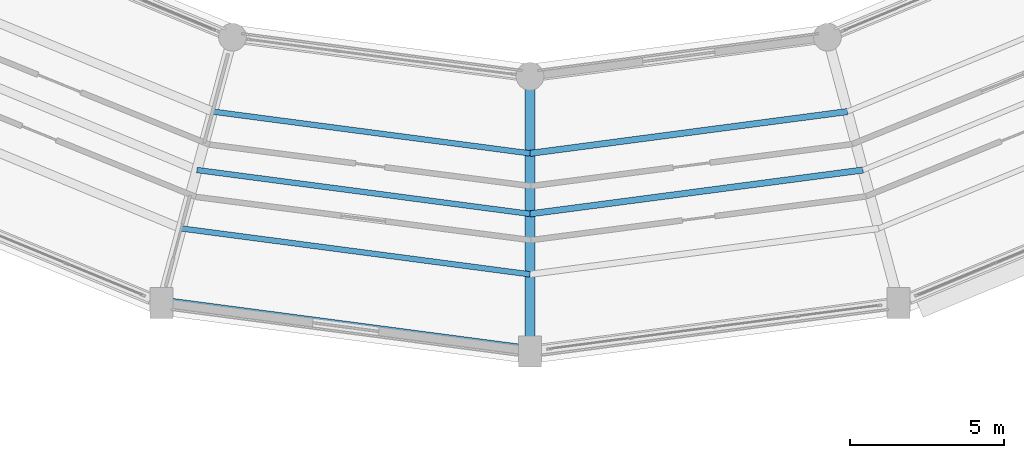
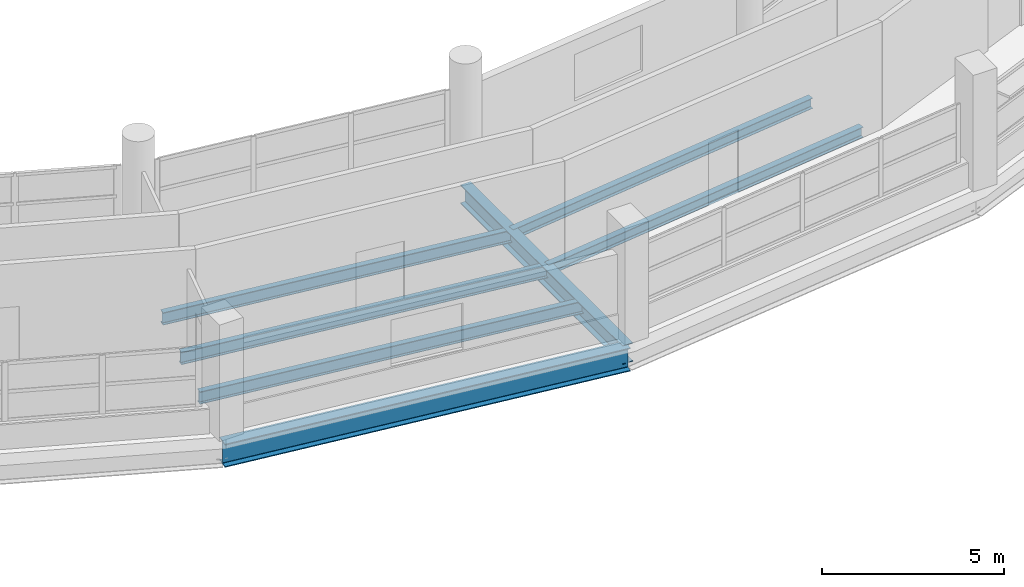
# One storey, part 37 of 108: 7 beams.
"""IFC4 building model written with IfcOpenShell, lengths in metres."""

from ifc_helpers import new_model, si_unit, direction, frame, origin, origin_2d, place, context, subcontext, project, spatial, i_section, extrude, material, material_profile, profile_set, type_object, element, save


model = new_model("IFC4")

# Units and contexts
model_context = context("Model", 3, precision=1e-05, world=origin(), true_north=direction((0.0, 1.0)))
body_context = subcontext(model_context, "Body", "Model", "MODEL_VIEW")
ifc_project = project(units=[si_unit("LENGTHUNIT", "METRE"), si_unit("AREAUNIT", "SQUARE_METRE"), si_unit("VOLUMEUNIT", "CUBIC_METRE"), si_unit("PLANEANGLEUNIT", "RADIAN"), si_unit("MASSUNIT", "GRAM", prefix="KILO")], contexts=[model_context])

# Site, building, storey
site_placement = place(None, origin())
site = spatial("IfcSite", under=ifc_project, at=site_placement, CompositionType="ELEMENT")
building_placement = place(site_placement, origin())
building = spatial("IfcBuilding", under=site, at=building_placement, Name="Vespera Passage Community Centre", CompositionType="ELEMENT")
storey_placement = place(building_placement, frame((0.0, 0.0, 12.60009765625)))
storey = spatial("IfcBuildingStorey", under=building, at=storey_placement, Name="L03", CompositionType="ELEMENT", Elevation=12.60009765625)

# Beams
ifc_material_1 = material(Name="Steel ASTM A992 Grade 50", Category="steel")
ifc_material_profile_1 = material_profile(ifc_material_1, i_section(OverallWidth=0.32763671875, OverallDepth=0.62841796875, WebThickness=0.0166015625, FlangeThickness=0.027587890625, FilletRadius=0.0126953125, at=origin_2d()), Name="W24X146")
ifc_profile_set_1 = profile_set([ifc_material_profile_1], Name="Steel ASTM A992 Grade 50")
beam_type_1 = type_object("IfcBeamType", Name="BM-G-W24X146", PredefinedType="BEAM", material=ifc_profile_set_1)
beam_1_placement = place(storey_placement, frame((78.0, 28.300048828125, -0.71435546875), z_axis=(0.0, -1.0, 0.0), x_axis=(1.0, 0.0, 0.0)))
element("IfcBeam", 1, at=beam_1_placement, inside=storey, type_object=beam_type_1, Name="V4 L03 Radial Girder 18", PredefinedType="BEAM", context=body_context, shape_type="SweptSolid", body=[
    extrude(i_section(OverallWidth=0.32763671875, OverallDepth=0.62841796875, WebThickness=0.0166015625, FlangeThickness=0.027587890625, FilletRadius=0.0126953125, at=origin_2d()), origin(), (0.0, 0.0, 1.0), 8.900146484375),
])
ifc_material_2 = material(Name="Steel ASTM A992 Grade 50", Category="steel")
ifc_material_profile_2 = material_profile(ifc_material_2, i_section(OverallWidth=0.2041015625, OverallDepth=0.3505859375, WebThickness=0.008544921875, FlangeThickness=0.01513671875, FilletRadius=0.01513671875, at=origin_2d()), Name="W14X48")
ifc_profile_set_2 = profile_set([ifc_material_profile_2], Name="Steel ASTM A992 Grade 50")
beam_type_2 = type_object("IfcBeamType", Name="BM-J-W14X48", PredefinedType="JOIST", material=ifc_profile_set_2)
beam_2_placement = place(storey_placement, frame((78.0, 25.80810546875, -0.575439453125), z_axis=(0.991447317077, 0.130507537947, 0.0), x_axis=(-0.130507537947, 0.991447317077, 0.0)))
element("IfcBeam", 2, at=beam_2_placement, inside=storey, type_object=beam_type_2, Name="V4 L03 Floor Joist 18.1", PredefinedType="JOIST", context=body_context, shape_type="SweptSolid", body=[
    extrude(i_section(OverallWidth=0.2041015625, OverallDepth=0.3505859375, WebThickness=0.008544921875, FlangeThickness=0.01513671875, FilletRadius=0.01513671875, at=origin_2d()), origin(), (0.0, 0.0, 1.0), 10.36181640625),
])
beam_3_placement = place(storey_placement, frame((78.0, 23.85009765625, -0.575439453125), z_axis=(0.991444815981, 0.130526537014, 0.0), x_axis=(-0.130526537014, 0.991444815981, 0.0)))
element("IfcBeam", 3, at=beam_3_placement, inside=storey, type_object=beam_type_2, Name="V4 L03 Floor Joist 18.2", PredefinedType="JOIST", context=body_context, shape_type="SweptSolid", body=[
    extrude(i_section(OverallWidth=0.2041015625, OverallDepth=0.3505859375, WebThickness=0.008544921875, FlangeThickness=0.01513671875, FilletRadius=0.01513671875, at=origin_2d()), origin(), (0.0, 0.0, 1.0), 10.872802734375),
])
ifc_material_3 = material(Name="Steel ASTM A992 Grade 50", Category="steel")
ifc_material_profile_3 = material_profile(ifc_material_3, i_section(OverallWidth=0.180908203125, OverallDepth=0.417236328125, WebThickness=0.010986328125, FlangeThickness=0.018310546875, FilletRadius=0.01025390625, at=origin_2d()), Name="W16X57")
ifc_profile_set_3 = profile_set([ifc_material_profile_3], Name="Steel ASTM A992 Grade 50")
beam_type_3 = type_object("IfcBeamType", Name="BM-J-W16X57", PredefinedType="JOIST", material=ifc_profile_set_3)
beam_4_placement = place(storey_placement, frame((67.726806640625, 27.160400390625, -0.60888671875), z_axis=(0.991447317077, -0.130507537947, 0.0), x_axis=(0.130507537947, 0.991447317077, 0.0)))
element("IfcBeam", 4, at=beam_4_placement, inside=storey, type_object=beam_type_3, Name="V4 L03 Floor Joist 17.1", PredefinedType="JOIST", context=body_context, shape_type="SweptSolid", body=[
    extrude(i_section(OverallWidth=0.180908203125, OverallDepth=0.417236328125, WebThickness=0.010986328125, FlangeThickness=0.018310546875, FilletRadius=0.01025390625, at=origin_2d()), origin(), (0.0, 0.0, 1.0), 10.36181640625),
])
beam_5_placement = place(storey_placement, frame((67.22021484375, 25.269287109375, -0.60888671875), z_axis=(0.991444815981, -0.130526537014, 0.0), x_axis=(0.130526537014, 0.991444815981, 0.0)))
element("IfcBeam", 5, at=beam_5_placement, inside=storey, type_object=beam_type_3, Name="V4 L03 Floor Joist 17.2", PredefinedType="JOIST", context=body_context, shape_type="SweptSolid", body=[
    extrude(i_section(OverallWidth=0.180908203125, OverallDepth=0.417236328125, WebThickness=0.010986328125, FlangeThickness=0.018310546875, FilletRadius=0.01025390625, at=origin_2d()), origin(), (0.0, 0.0, 1.0), 10.872802734375),
])
beam_6_placement = place(storey_placement, frame((66.71337890625, 23.3779296875, -0.60888671875), z_axis=(0.991445679969, -0.130519974222, 0.0), x_axis=(0.130519974222, 0.991445679969, 0.0)))
element("IfcBeam", 6, at=beam_6_placement, inside=storey, type_object=beam_type_3, Name="V4 L03 Floor Joist 17.3", PredefinedType="JOIST", context=body_context, shape_type="SweptSolid", body=[
    extrude(i_section(OverallWidth=0.180908203125, OverallDepth=0.417236328125, WebThickness=0.010986328125, FlangeThickness=0.018310546875, FilletRadius=0.01025390625, at=origin_2d()), origin(), (0.0, 0.0, 1.0), 11.384033203125),
])
ifc_material_4 = material(Name="Steel ASTM A992 Grade 50", Category="steel")
ifc_material_profile_4 = material_profile(ifc_material_4, i_section(OverallWidth=0.382080078125, OverallDepth=0.779296875, WebThickness=0.01806640625, FlangeThickness=0.030029296875, FilletRadius=0.0166015625, at=origin_2d()), Name="W30X191")
ifc_profile_set_4 = profile_set([ifc_material_profile_4], Name="Steel ASTM A992 Grade 50")
beam_type_4 = type_object("IfcBeamType", Name="BM-SP-W30X191E", PredefinedType="SPANDREL", material=ifc_profile_set_4)
beam_7_placement = place(storey_placement, frame((66.068359375, 20.970703125, -0.789794921875), z_axis=(0.991445178667, -0.130523782115, 0.0), x_axis=(0.130523782115, 0.991445178667, 0.0)))
element("IfcBeam", 7, at=beam_7_placement, inside=storey, type_object=beam_type_4, Name="V4 L03 Outer Spandrel 17", PredefinedType="SPANDREL", context=body_context, shape_type="SweptSolid", body=[
    extrude(i_section(OverallWidth=0.382080078125, OverallDepth=0.779296875, WebThickness=0.01806640625, FlangeThickness=0.030029296875, FilletRadius=0.0166015625, at=origin_2d()), origin(), (0.0, 0.0, 1.0), 12.03466796875),
])

save(model, "model.ifc")
